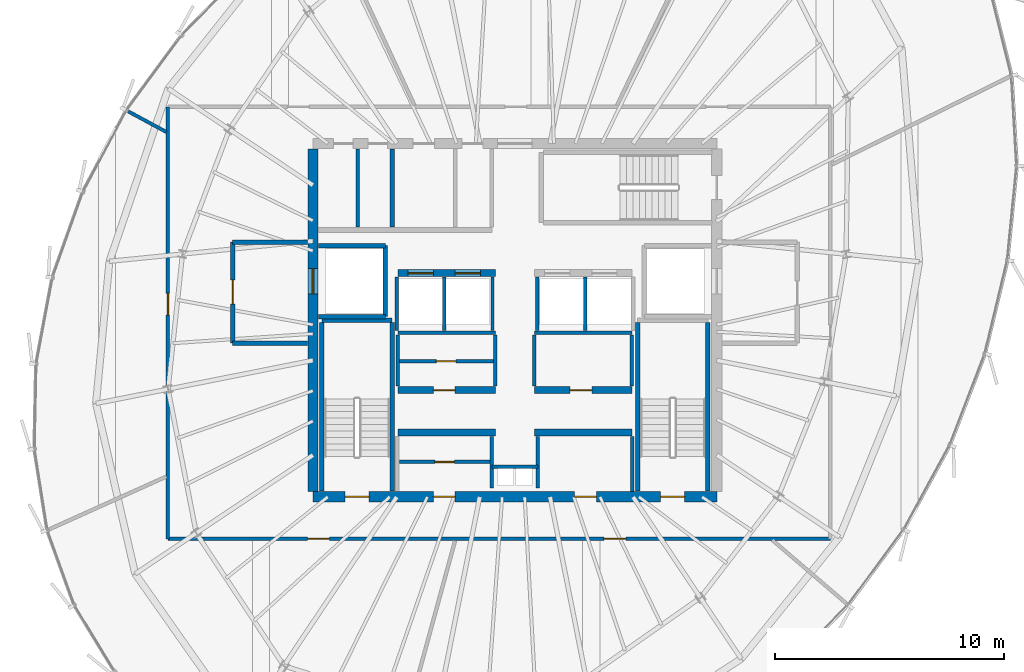
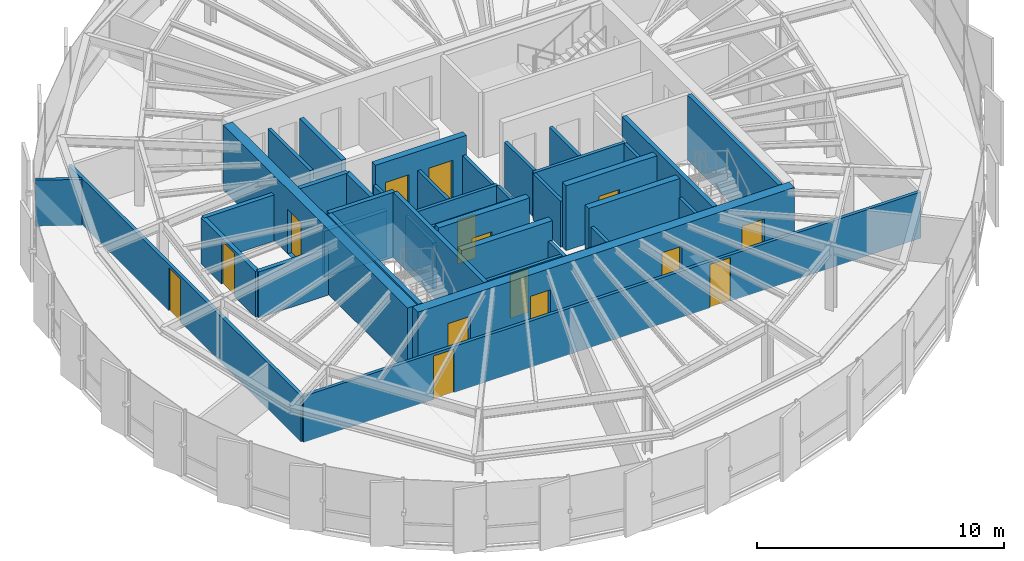
# One storey, part 27 of 33: 40 walls, 15 doors, 15 openings.
"""IFC4 building model written with IfcOpenShell, lengths in metres."""

from ifc_helpers import new_model, si_unit, direction, frame, frame_2d, origin, place, context, subcontext, project, spatial, rectangle, extrude, source, transform, mapped, material, layer, layer_set, type_object, element, fill, save


model = new_model("IFC4")

# Units and contexts
model_context = context("Model", 3, precision=1e-05, world=origin(), true_north=direction((0.0, 1.0)))
body_context = subcontext(model_context, "Body", "Model", "MODEL_VIEW")
ifc_project = project(units=[si_unit("LENGTHUNIT", "METRE"), si_unit("AREAUNIT", "SQUARE_METRE"), si_unit("VOLUMEUNIT", "CUBIC_METRE"), si_unit("PLANEANGLEUNIT", "RADIAN"), si_unit("MASSUNIT", "GRAM", prefix="KILO"), si_unit("THERMODYNAMICTEMPERATUREUNIT", "KELVIN")], contexts=[model_context])

# Site, building, storey
site_placement = place(None, origin())
site = spatial("IfcSite", under=ifc_project, at=site_placement, CompositionType="ELEMENT")
building_placement = place(site_placement, origin())
building = spatial("IfcBuilding", under=site, at=building_placement, Name="Kethvar Cultural Tower", CompositionType="ELEMENT")
storey_placement = place(building_placement, frame((0.0, 0.0, 235.300048828125)))
storey = spatial("IfcBuildingStorey", under=building, at=storey_placement, Name="L61", CompositionType="ELEMENT", Elevation=235.300048828125)

# Wall, openings, doors
ifc_material_1 = material(Name="Concrete C50/60", Category="concrete")
ifc_layer_1 = layer(ifc_material_1, 0.449951171875, Name="Concrete C50/60", Category="concrete")
ifc_layer_set_1 = layer_set([ifc_layer_1], Name="Concrete C50/60 (450 mm)")
wall_type_1 = type_object("IfcWallType", Name="WL-CORE-450", PredefinedType="SHEAR", material=ifc_layer_set_1)
wall_1_placement = place(storey_placement, frame((38.0, 20.10009765625, 0.0), z_axis=(0.0, 0.0, 1.0), x_axis=(1.0, 0.0, 0.0)))
wall_1 = element("IfcWall", 1, at=wall_1_placement, inside=storey, type_object=wall_type_1, Name="L61 Core Shear Wall S", PredefinedType="SHEAR", context=body_context, shape_type="SweptSolid", body=[
    extrude(rectangle(XDim=17.60009765625, YDim=0.449951171875, at=frame_2d((8.800048828125, 0.0))), origin(), (0.0, 0.0, 1.0), 3.2099609375),
])
opening_1_placement = place(wall_1_placement, frame((1.39990234375, 0.0, 0.0)))
opening_1 = element("IfcOpeningElement", 2, at=opening_1_placement, cuts=wall_1, Name="Opening D-L61-S1", PredefinedType="OPENING", context=body_context, shape_type="SweptSolid", body=[
    extrude(rectangle(XDim=1.050048828125, YDim=2.14990234375, at=frame_2d((0.52490234375, 1.074951171875))), frame((0.0, 0.23486328125, 0.0), z_axis=(0.0, -1.0, 0.0), x_axis=(1.0, 0.0, 0.0)), (0.0, 0.0, 1.0), 0.469970703125),
])
opening_2_placement = place(wall_1_placement, frame((15.14990234375, 0.0, 0.0)))
opening_2 = element("IfcOpeningElement", 3, at=opening_2_placement, cuts=wall_1, Name="Opening D-L61-ST2", PredefinedType="OPENING", context=body_context, shape_type="SweptSolid", body=[
    extrude(rectangle(XDim=1.050048828125, YDim=2.14990234375, at=frame_2d((0.52490234375, 1.074951171875))), frame((0.0, 0.23486328125, 0.0), z_axis=(0.0, -1.0, 0.0), x_axis=(1.0, 0.0, 0.0)), (0.0, 0.0, 1.0), 0.469970703125),
])
opening_3_placement = place(wall_1_placement, frame((5.25, 0.0, 0.0)))
opening_3 = element("IfcOpeningElement", 4, at=opening_3_placement, cuts=wall_1, Name="Opening D-L61-V1", PredefinedType="OPENING", context=body_context, shape_type="SweptSolid", body=[
    extrude(rectangle(XDim=0.949951171875, YDim=2.14990234375, at=frame_2d((0.47509765625, 1.074951171875))), frame((0.0, 0.23486328125, 0.0), z_axis=(0.0, -1.0, 0.0), x_axis=(1.0, 0.0, 0.0)), (0.0, 0.0, 1.0), 0.469970703125),
])
opening_4_placement = place(wall_1_placement, frame((11.39990234375, 0.0, 0.0)))
opening_4 = element("IfcOpeningElement", 5, at=opening_4_placement, cuts=wall_1, Name="Opening D-L61-V2", PredefinedType="OPENING", context=body_context, shape_type="SweptSolid", body=[
    extrude(rectangle(XDim=0.949951171875, YDim=2.14990234375, at=frame_2d((0.47509765625, 1.074951171875))), frame((0.0, 0.23486328125, 0.0), z_axis=(0.0, -1.0, 0.0), x_axis=(1.0, 0.0, 0.0)), (0.0, 0.0, 1.0), 0.469970703125),
])
ifc_material_2 = material(Name="Steel S355J2", Category="steel")
door_type_1 = type_object("IfcDoorType", Name="DR-FD60-1050", OperationType="NOTDEFINED", PredefinedType="DOOR", material=ifc_material_2)
shared_shape_1 = source(origin(), body_context, "Body", "SweptSolid", [
    extrude(rectangle(XDim=1.050048828125, YDim=2.14990234375, at=frame_2d((0.52490234375, 1.074951171875))), frame((0.0, 0.02490234375, 0.0), z_axis=(0.0, -1.0, 0.0), x_axis=(1.0, 0.0, 0.0)), (0.0, 0.0, 1.0), 0.050048828125),
])
door_1_placement = place(opening_1_placement, origin())
door_1 = element("IfcDoor", 6, at=door_1_placement, inside=storey, type_object=door_type_1, Name="L61 Exit Stair 1 Door", OperationType="SINGLE_SWING_LEFT", OverallHeight=2.14990234375, OverallWidth=1.050048828125, PredefinedType="DOOR", context=body_context, shape_type="MappedRepresentation", body=[
    mapped(shared_shape_1, transform((0.0, 0.0, 0.0), scale=1.0)),
])
fill(opening_1, door_1)
door_2_placement = place(opening_2_placement, origin())
door_2 = element("IfcDoor", 7, at=door_2_placement, inside=storey, type_object=door_type_1, Name="L61 Exit Stair 2 Door", OperationType="SINGLE_SWING_RIGHT", OverallHeight=2.14990234375, OverallWidth=1.050048828125, PredefinedType="DOOR", context=body_context, shape_type="MappedRepresentation", body=[
    mapped(shared_shape_1, transform((0.0, 0.0, 0.0), scale=1.0)),
])
fill(opening_2, door_2)
ifc_material_3 = material(Name="Architectural Oak Timber", Category="wood")
door_type_2 = type_object("IfcDoorType", Name="DR-FD30-950", OperationType="NOTDEFINED", PredefinedType="DOOR", material=ifc_material_3)
shared_shape_2 = source(origin(), body_context, "Body", "SweptSolid", [
    extrude(rectangle(XDim=0.949951171875, YDim=2.14990234375, at=frame_2d((0.47509765625, 1.074951171875))), frame((0.0, 0.02490234375, 0.0), z_axis=(0.0, -1.0, 0.0), x_axis=(1.0, 0.0, 0.0)), (0.0, 0.0, 1.0), 0.050048828125),
])
door_3_placement = place(opening_3_placement, origin())
door_3 = element("IfcDoor", 8, at=door_3_placement, inside=storey, type_object=door_type_2, Name="L61 Reclaimed West South Door", OperationType="SINGLE_SWING_LEFT", OverallHeight=2.14990234375, OverallWidth=0.949951171875, PredefinedType="DOOR", context=body_context, shape_type="MappedRepresentation", body=[
    mapped(shared_shape_2, transform((0.0, 0.0, 0.0), scale=1.0)),
])
fill(opening_3, door_3)
door_4_placement = place(opening_4_placement, origin())
door_4 = element("IfcDoor", 9, at=door_4_placement, inside=storey, type_object=door_type_2, Name="L61 Reclaimed East Server Door", OperationType="SINGLE_SWING_RIGHT", OverallHeight=2.14990234375, OverallWidth=0.949951171875, PredefinedType="DOOR", context=body_context, shape_type="MappedRepresentation", body=[
    mapped(shared_shape_2, transform((0.0, 0.0, 0.0), scale=1.0)),
])
fill(opening_4, door_4)

# Wall, opening, door
wall_2_placement = place(storey_placement, frame((38.0, 35.260009765625, 0.0), z_axis=(0.0, 0.0, 1.0), x_axis=(0.0, -1.0, 0.0)))
wall_2 = element("IfcWall", 10, at=wall_2_placement, inside=storey, type_object=wall_type_1, Name="L61 Core Shear Wall W", PredefinedType="SHEAR", context=body_context, shape_type="SweptSolid", body=[
    extrude(rectangle(XDim=14.919921875, YDim=0.449951171875, at=frame_2d((7.4599609375, 0.0))), origin(), (0.0, 0.0, 1.0), 3.2099609375),
])
opening_5_placement = place(wall_2_placement, frame((5.2099609375, 0.0, 0.0)))
opening_5 = element("IfcOpeningElement", 11, at=opening_5_placement, cuts=wall_2, Name="Opening LD-1", PredefinedType="OPENING", context=body_context, shape_type="SweptSolid", body=[
    extrude(rectangle(XDim=1.10009765625, YDim=2.199951171875, at=frame_2d((0.550048828125, 1.10009765625))), frame((0.0, 0.23486328125, 0.0), z_axis=(0.0, -1.0, 0.0), x_axis=(1.0, 0.0, 0.0)), (0.0, 0.0, 1.0), 0.469970703125),
])
door_type_3 = type_object("IfcDoorType", Name="DR-LIFT-SLIDE-1100", OperationType="NOTDEFINED", PredefinedType="DOOR", material=ifc_material_2)
shared_shape_3 = source(origin(), body_context, "Body", "SweptSolid", [
    extrude(rectangle(XDim=1.10009765625, YDim=2.199951171875, at=frame_2d((0.550048828125, 1.10009765625))), frame((0.0, 0.02490234375, 0.0), z_axis=(0.0, -1.0, 0.0), x_axis=(1.0, 0.0, 0.0)), (0.0, 0.0, 1.0), 0.050048828125),
])
door_5_placement = place(opening_5_placement, origin())
door_5 = element("IfcDoor", 12, at=door_5_placement, inside=storey, type_object=door_type_3, Name="L61 Firefighting Lift Landing Door FFL-01", OperationType="SLIDING_TO_LEFT", OverallHeight=2.199951171875, OverallWidth=1.10009765625, PredefinedType="DOOR", context=body_context, shape_type="MappedRepresentation", body=[
    mapped(shared_shape_3, transform((0.0, 0.0, 0.0), scale=1.0)),
])
fill(opening_5, door_5)

# Walls
ifc_material_4 = material(Name="Gypsum Fireboard Partition")
ifc_layer_2 = layer(ifc_material_4, 0.14990234375, Name="Gypsum Fireboard Partition")
ifc_layer_set_2 = layer_set([ifc_layer_2], Name="Gypsum Fireboard Partition (150 mm)")
wall_type_2 = type_object("IfcWallType", Name="WL-FIRE-150", PredefinedType="PARTITIONING", material=ifc_layer_set_2)
wall_3_placement = place(storey_placement, frame((45.800048828125, 21.419921875, 0.0), z_axis=(0.0, 0.0, 1.0), x_axis=(1.0, 0.0, 0.0)))
element("IfcWall", 13, at=wall_3_placement, inside=storey, type_object=wall_type_2, Name="L61 Core Riser Wall", PredefinedType="PARTITIONING", context=body_context, shape_type="SweptSolid", body=[
    extrude(rectangle(XDim=2.0, YDim=0.14990234375, at=frame_2d((1.0, 0.0))), origin(), (0.0, 0.0, 1.0), 2.280029296875),
])
for number, where, z_axis, x_axis, name in (
    (14, (45.800048828125, 20.47998046875, 0.0), (0.0, 0.0, 1.0), (0.0, 1.0, 0.0), "L61 Core Riser West Wall"),
    (15, (47.800048828125, 20.47998046875, 0.0), (0.0, 0.0, 1.0), (0.0, 1.0, 0.0), "L61 Core Riser East Wall"),
):
    element("IfcWall", number, at=place(storey_placement, frame(where, z_axis=z_axis, x_axis=x_axis)), inside=storey, type_object=wall_type_2, Name=name, PredefinedType="PARTITIONING", context=body_context, shape_type="SweptSolid", body=[
        extrude(rectangle(XDim=2.239990234375, YDim=0.14990234375, at=frame_2d((1.1201171875, 0.0))), origin(), (0.0, 0.0, 1.0), 2.280029296875),
    ])
wall_4_placement = place(storey_placement, frame((51.919921875, 20.3349609375, 0.0), z_axis=(0.0, 0.0, 1.0), x_axis=(0.0, 1.0, 0.0)))
element("IfcWall", 16, at=wall_4_placement, inside=storey, type_object=wall_type_2, Name="L61 Reclaimed East Outer Wall", PredefinedType="PARTITIONING", context=body_context, shape_type="SweptSolid", body=[
    extrude(rectangle(XDim=2.39501953125, YDim=0.14990234375, at=frame_2d((1.197509765625, 0.0))), origin(), (0.0, 0.0, 1.0), 2.280029296875),
])

# Wall, opening, door
wall_5_placement = place(storey_placement, frame((41.760009765625, 21.6201171875, 0.0), z_axis=(0.0, 0.0, 1.0), x_axis=(1.0, 0.0, 0.0)))
wall_5 = element("IfcWall", 17, at=wall_5_placement, inside=storey, type_object=wall_type_2, Name="L61 Vault Gallery Wall W", PredefinedType="PARTITIONING", context=body_context, shape_type="SweptSolid", body=[
    extrude(rectangle(XDim=3.9599609375, YDim=0.14990234375, at=frame_2d((1.97998046875, 0.0))), origin(), (0.0, 0.0, 1.0), 2.280029296875),
])
opening_6_placement = place(wall_5_placement, frame((1.550048828125, 0.0, 0.0)))
opening_6 = element("IfcOpeningElement", 18, at=opening_6_placement, cuts=wall_5, Name="Opening D-L61-V3", PredefinedType="OPENING", context=body_context, shape_type="SweptSolid", body=[
    extrude(rectangle(XDim=0.85009765625, YDim=2.14990234375, at=frame_2d((0.425048828125, 1.074951171875))), frame((0.0, 0.0849609375, 0.0), z_axis=(0.0, -1.0, 0.0), x_axis=(1.0, 0.0, 0.0)), (0.0, 0.0, 1.0), 0.169921875),
])
door_type_4 = type_object("IfcDoorType", Name="DR-FD30-850", OperationType="NOTDEFINED", PredefinedType="DOOR", material=ifc_material_2)
shared_shape_4 = source(origin(), body_context, "Body", "SweptSolid", [
    extrude(rectangle(XDim=0.85009765625, YDim=2.14990234375, at=frame_2d((0.425048828125, 1.074951171875))), frame((0.0, 0.02490234375, 0.0), z_axis=(0.0, -1.0, 0.0), x_axis=(1.0, 0.0, 0.0)), (0.0, 0.0, 1.0), 0.050048828125),
])
door_6_placement = place(opening_6_placement, origin())
door_6 = element("IfcDoor", 19, at=door_6_placement, inside=storey, type_object=door_type_4, Name="L61 Inner Vault Gallery Door", OperationType="SINGLE_SWING_LEFT", OverallHeight=2.14990234375, OverallWidth=0.85009765625, PredefinedType="DOOR", context=body_context, shape_type="MappedRepresentation", body=[
    mapped(shared_shape_4, transform((0.0, 0.0, 0.0), scale=1.0)),
])
fill(opening_6, door_6)

# Walls
for number, where, z_axis, x_axis, name in (
    (20, (41.699951171875, 27.25, 0.0), (0.0, 0.0, 1.0), (1.0, 0.0, 0.0), "L61 Reclaimed Mid Wall W"),
    (21, (47.64990234375, 27.25, 0.0), (0.0, 0.0, 1.0), (1.0, 0.0, 0.0), "L61 Reclaimed Mid Wall E"),
):
    element("IfcWall", number, at=place(storey_placement, frame(where, z_axis=z_axis, x_axis=x_axis)), inside=storey, type_object=wall_type_2, Name=name, PredefinedType="PARTITIONING", context=body_context, shape_type="SweptSolid", body=[
        extrude(rectangle(XDim=4.25, YDim=0.14990234375, at=frame_2d((2.125, 0.0))), origin(), (0.0, 0.0, 1.0), 2.280029296875),
    ])
for number, where, z_axis, x_axis, name in (
    (22, (41.699951171875, 24.919921875, 0.0), (0.0, 0.0, 1.0), (0.0, 1.0, 0.0), "L61 Reclaimed Mid Outer W"),
    (23, (45.949951171875, 24.919921875, 0.0), (0.0, 0.0, 1.0), (0.0, 1.0, 0.0), "L61 Reclaimed Mid Spine W"),
    (24, (47.64990234375, 24.919921875, 0.0), (0.0, 0.0, 1.0), (0.0, 1.0, 0.0), "L61 Reclaimed Mid Spine E"),
    (25, (51.89990234375, 24.919921875, 0.0), (0.0, 0.0, 1.0), (0.0, 1.0, 0.0), "L61 Reclaimed Mid Outer E"),
):
    element("IfcWall", number, at=place(storey_placement, frame(where, z_axis=z_axis, x_axis=x_axis)), inside=storey, type_object=wall_type_2, Name=name, PredefinedType="PARTITIONING", context=body_context, shape_type="SweptSolid", body=[
        extrude(rectangle(XDim=2.239990234375, YDim=0.14990234375, at=frame_2d((1.1201171875, 0.0))), origin(), (0.0, 0.0, 1.0), 2.280029296875),
    ])

# Wall, opening, door
wall_6_placement = place(storey_placement, frame((41.780029296875, 26.010009765625, 0.0), z_axis=(0.0, 0.0, 1.0), x_axis=(1.0, 0.0, 0.0)))
wall_6 = element("IfcWall", 26, at=wall_6_placement, inside=storey, type_object=wall_type_2, Name="L61 Mid Gallery Wall W", PredefinedType="PARTITIONING", context=body_context, shape_type="SweptSolid", body=[
    extrude(rectangle(XDim=4.090087890625, YDim=0.14990234375, at=frame_2d((2.044921875, 0.0))), origin(), (0.0, 0.0, 1.0), 2.280029296875),
])
opening_7_placement = place(wall_6_placement, frame((1.60009765625, 0.0, 0.0)))
opening_7 = element("IfcOpeningElement", 27, at=opening_7_placement, cuts=wall_6, Name="Opening D-L61-M3", PredefinedType="OPENING", context=body_context, shape_type="SweptSolid", body=[
    extrude(rectangle(XDim=0.85009765625, YDim=2.14990234375, at=frame_2d((0.425048828125, 1.074951171875))), frame((0.0, 0.0849609375, 0.0), z_axis=(0.0, -1.0, 0.0), x_axis=(1.0, 0.0, 0.0)), (0.0, 0.0, 1.0), 0.169921875),
])
door_7_placement = place(opening_7_placement, origin())
door_7 = element("IfcDoor", 28, at=door_7_placement, inside=storey, type_object=door_type_4, Name="L61 Fibre Inner Door", OperationType="SINGLE_SWING_LEFT", OverallHeight=2.14990234375, OverallWidth=0.85009765625, PredefinedType="DOOR", context=body_context, shape_type="MappedRepresentation", body=[
    mapped(shared_shape_4, transform((0.0, 0.0, 0.0), scale=1.0)),
])
fill(opening_7, door_7)

# Walls
for number, where, z_axis, x_axis, name in (
    (29, (41.64990234375, 27.340087890625, 0.0), (0.0, 0.0, 1.0), (0.0, 1.0, 0.0), "L61 High-Rise Lift Shaft Outer Wall W"),
    (30, (43.72509765625, 27.340087890625, 0.0), (0.0, 0.0, 1.0), (0.0, 1.0, 0.0), "L61 High-Rise Lift Shaft Divider W"),
    (31, (45.824951171875, 27.340087890625, 0.0), (0.0, 0.0, 1.0), (0.0, 1.0, 0.0), "L61 High-Rise Lift Shaft Concourse Wall W"),
    (32, (47.77490234375, 27.340087890625, 0.0), (0.0, 0.0, 1.0), (0.0, 1.0, 0.0), "L61 High-Rise Lift Shaft Concourse Wall E"),
    (33, (49.875, 27.340087890625, 0.0), (0.0, 0.0, 1.0), (0.0, 1.0, 0.0), "L61 High-Rise Lift Shaft Divider E"),
):
    element("IfcWall", number, at=place(storey_placement, frame(where, z_axis=z_axis, x_axis=x_axis)), inside=storey, type_object=wall_type_2, Name=name, PredefinedType="PARTITIONING", context=body_context, shape_type="SweptSolid", body=[
        extrude(rectangle(XDim=2.33984375, YDim=0.14990234375, at=frame_2d((1.169921875, 0.0))), origin(), (0.0, 0.0, 1.0), 2.280029296875),
    ])
wall_7_placement = place(storey_placement, frame((39.949951171875, 31.85009765625, 0.0), z_axis=(0.0, 0.0, 1.0), x_axis=(0.0, 1.0, 0.0)))
element("IfcWall", 34, at=wall_7_placement, inside=storey, type_object=wall_type_2, Name="L61 NW Riser Divider", PredefinedType="PARTITIONING", context=body_context, shape_type="SweptSolid", body=[
    extrude(rectangle(XDim=3.414794921875, YDim=0.14990234375, at=frame_2d((1.70751953125, 0.0))), origin(), (0.0, 0.0, 1.0), 2.280029296875),
])

# Wall, openings, doors
wall_8_placement = place(storey_placement, frame((31.679931640625, 18.26904296875, 0.0), z_axis=(0.0, 0.0, 1.0), x_axis=(1.0, 0.0, 0.0)))
wall_8 = element("IfcWall", 35, at=wall_8_placement, inside=storey, type_object=wall_type_2, Name="L61 Corridor Rated Wall S", PredefinedType="PARTITIONING", context=body_context, shape_type="SweptSolid", body=[
    extrude(rectangle(XDim=28.8701171875, YDim=0.14990234375, at=frame_2d((14.43505859375, 0.0))), origin(), (0.0, 0.0, 1.0), 2.280029296875),
])
opening_8_placement = place(wall_8_placement, frame((6.08251953125, 0.0, 0.0)))
opening_8 = element("IfcOpeningElement", 36, at=opening_8_placement, cuts=wall_8, Name="Opening D-L61-01", PredefinedType="OPENING", context=body_context, shape_type="SweptSolid", body=[
    extrude(rectangle(XDim=0.949951171875, YDim=2.14990234375, at=frame_2d((0.47509765625, 1.074951171875))), frame((0.0, 0.0849609375, 0.0), z_axis=(0.0, -1.0, 0.0), x_axis=(1.0, 0.0, 0.0)), (0.0, 0.0, 1.0), 0.169921875),
])
opening_9_placement = place(wall_8_placement, frame((19.0029296875, 0.0, 0.0)))
opening_9 = element("IfcOpeningElement", 37, at=opening_9_placement, cuts=wall_8, Name="Opening D-L61-02", PredefinedType="OPENING", context=body_context, shape_type="SweptSolid", body=[
    extrude(rectangle(XDim=0.949951171875, YDim=2.14990234375, at=frame_2d((0.47509765625, 1.074951171875))), frame((0.0, 0.0849609375, 0.0), z_axis=(0.0, -1.0, 0.0), x_axis=(1.0, 0.0, 0.0)), (0.0, 0.0, 1.0), 0.169921875),
])
door_8_placement = place(opening_8_placement, origin())
door_8 = element("IfcDoor", 38, at=door_8_placement, inside=storey, type_object=door_type_2, Name="L61 Visitor Reception 01 Door", OperationType="SINGLE_SWING_RIGHT", OverallHeight=2.14990234375, OverallWidth=0.949951171875, PredefinedType="DOOR", context=body_context, shape_type="MappedRepresentation", body=[
    mapped(shared_shape_2, transform((0.0, 0.0, 0.0), scale=1.0)),
])
fill(opening_8, door_8)
door_9_placement = place(opening_9_placement, origin())
door_9 = element("IfcDoor", 39, at=door_9_placement, inside=storey, type_object=door_type_2, Name="L61 Academic Study Lounge 02 Door", OperationType="SINGLE_SWING_LEFT", OverallHeight=2.14990234375, OverallWidth=0.949951171875, PredefinedType="DOOR", context=body_context, shape_type="MappedRepresentation", body=[
    mapped(shared_shape_2, transform((0.0, 0.0, 0.0), scale=1.0)),
])
fill(opening_9, door_9)

# Wall, opening, door
wall_9_placement = place(storey_placement, frame((31.679931640625, 37.10009765625, 0.0), z_axis=(0.0, 0.0, 1.0), x_axis=(0.0, -1.0, 0.0)))
wall_9 = element("IfcWall", 40, at=wall_9_placement, inside=storey, type_object=wall_type_2, Name="L61 Corridor Rated Wall W", PredefinedType="PARTITIONING", context=body_context, shape_type="SweptSolid", body=[
    extrude(rectangle(XDim=18.8310546875, YDim=0.14990234375, at=frame_2d((9.41552734375, 0.0))), origin(), (0.0, 0.0, 1.0), 2.280029296875),
])
opening_10_placement = place(wall_9_placement, frame((8.131591796875, 0.0, 0.0)))
opening_10 = element("IfcOpeningElement", 41, at=opening_10_placement, cuts=wall_9, Name="Opening D-L61-07", PredefinedType="OPENING", context=body_context, shape_type="SweptSolid", body=[
    extrude(rectangle(XDim=0.949951171875, YDim=2.14990234375, at=frame_2d((0.47509765625, 1.074951171875))), frame((0.0, 0.0849609375, 0.0), z_axis=(0.0, -1.0, 0.0), x_axis=(1.0, 0.0, 0.0)), (0.0, 0.0, 1.0), 0.169921875),
])
door_10_placement = place(opening_10_placement, origin())
door_10 = element("IfcDoor", 42, at=door_10_placement, inside=storey, type_object=door_type_2, Name="L61 Curatorial Staff Room 07 Door", OperationType="SINGLE_SWING_RIGHT", OverallHeight=2.14990234375, OverallWidth=0.949951171875, PredefinedType="DOOR", context=body_context, shape_type="MappedRepresentation", body=[
    mapped(shared_shape_2, transform((0.0, 0.0, 0.0), scale=1.0)),
])
fill(opening_10, door_10)

# Walls
ifc_material_5 = material(Name="Concrete C40/50", Category="concrete")
ifc_layer_3 = layer(ifc_material_5, 0.199951171875, Name="Concrete C40/50", Category="concrete")
ifc_layer_set_3 = layer_set([ifc_layer_3], Name="Concrete C40/50 (200 mm)")
wall_type_3 = type_object("IfcWallType", Name="WL-FIRE-200", PredefinedType="PARTITIONING", material=ifc_layer_set_3)
wall_10_placement = place(storey_placement, frame((41.14990234375, 27.949951171875, 0.0), z_axis=(0.0, 0.0, 1.0), x_axis=(0.0, 1.0, 0.0)))
element("IfcWall", 43, at=wall_10_placement, inside=storey, type_object=wall_type_3, Name="L61 FFL-01 Shaft Inner Wall", PredefinedType="PARTITIONING", context=body_context, shape_type="SweptSolid", body=[
    extrude(rectangle(XDim=3.10009765625, YDim=0.199951171875, at=frame_2d((1.550048828125, 0.0))), origin(), (0.0, 0.0, 1.0), 2.280029296875),
])
for number, where, z_axis, x_axis, name in (
    (44, (38.235107421875, 27.949951171875, 0.0), (0.0, 0.0, 1.0), (1.0, 0.0, 0.0), "L61 FFL-01 Shaft South Wall"),
    (45, (38.235107421875, 31.050048828125, 0.0), (0.0, 0.0, 1.0), (1.0, 0.0, 0.0), "L61 FFL-01 Shaft North Wall"),
):
    element("IfcWall", number, at=place(storey_placement, frame(where, z_axis=z_axis, x_axis=x_axis)), inside=storey, type_object=wall_type_3, Name=name, PredefinedType="PARTITIONING", context=body_context, shape_type="SweptSolid", body=[
        extrude(rectangle(XDim=2.914794921875, YDim=0.199951171875, at=frame_2d((1.45751953125, 0.0))), origin(), (0.0, 0.0, 1.0), 2.280029296875),
    ])

# Wall, opening, door
wall_11_placement = place(storey_placement, frame((34.5, 31.199951171875, 0.0), z_axis=(0.0, 0.0, 1.0), x_axis=(0.0, -1.0, 0.0)))
wall_11 = element("IfcWall", 46, at=wall_11_placement, inside=storey, type_object=wall_type_3, Name="L61 Firefighting Lobby 1 Wall", PredefinedType="PARTITIONING", context=body_context, shape_type="SweptSolid", body=[
    extrude(rectangle(XDim=4.39990234375, YDim=0.199951171875, at=frame_2d((2.199951171875, 0.0))), origin(), (0.0, 0.0, 1.0), 2.280029296875),
])
opening_11_placement = place(wall_11_placement, frame((1.64990234375, 0.0, 0.0)))
opening_11 = element("IfcOpeningElement", 47, at=opening_11_placement, cuts=wall_11, Name="Opening D-L61-F1", PredefinedType="OPENING", context=body_context, shape_type="SweptSolid", body=[
    extrude(rectangle(XDim=1.050048828125, YDim=2.14990234375, at=frame_2d((0.52490234375, 1.074951171875))), frame((0.0, 0.10986328125, 0.0), z_axis=(0.0, -1.0, 0.0), x_axis=(1.0, 0.0, 0.0)), (0.0, 0.0, 1.0), 0.219970703125),
])
door_11_placement = place(opening_11_placement, origin())
door_11 = element("IfcDoor", 48, at=door_11_placement, inside=storey, type_object=door_type_1, Name="L61 Firefighting Lobby 1 Fire Door", OperationType="SINGLE_SWING_LEFT", OverallHeight=2.14990234375, OverallWidth=1.050048828125, PredefinedType="DOOR", context=body_context, shape_type="MappedRepresentation", body=[
    mapped(shared_shape_1, transform((0.0, 0.0, 0.0), scale=1.0)),
])
fill(opening_11, door_11)

# Walls
for number, where, z_axis, x_axis, name in (
    (49, (34.5, 26.800048828125, 0.0), (0.0, 0.0, 1.0), (1.0, 0.0, 0.0), "L61 FF Lobby 1 South Wall"),
    (50, (34.5, 31.199951171875, 0.0), (0.0, 0.0, 1.0), (1.0, 0.0, 0.0), "L61 FF Lobby 1 North Wall"),
):
    element("IfcWall", number, at=place(storey_placement, frame(where, z_axis=z_axis, x_axis=x_axis)), inside=storey, type_object=wall_type_3, Name=name, PredefinedType="PARTITIONING", context=body_context, shape_type="SweptSolid", body=[
        extrude(rectangle(XDim=3.264892578125, YDim=0.199951171875, at=frame_2d((1.63232421875, 0.0))), origin(), (0.0, 0.0, 1.0), 2.280029296875),
    ])
wall_12_placement = place(storey_placement, frame((41.449951171875, 31.85009765625, 0.0), z_axis=(0.0, 0.0, 1.0), x_axis=(0.0, 1.0, 0.0)))
element("IfcWall", 51, at=wall_12_placement, inside=storey, type_object=wall_type_3, Name="L61 NW Core Pocket Wall", PredefinedType="PARTITIONING", context=body_context, shape_type="SweptSolid", body=[
    extrude(rectangle(XDim=3.414794921875, YDim=0.199951171875, at=frame_2d((1.70751953125, 0.0))), origin(), (0.0, 0.0, 1.0), 2.280029296875),
])
ifc_material_6 = material(Name="Gypsum Acoustic Partition")
ifc_layer_4 = layer(ifc_material_6, 0.14990234375, Name="Gypsum Acoustic Partition")
ifc_layer_set_4 = layer_set([ifc_layer_4], Name="Gypsum Acoustic Partition (150 mm)")
wall_type_4 = type_object("IfcWallType", Name="WL-PART-150", PredefinedType="PARTITIONING", material=ifc_layer_set_4)
wall_13_placement = place(storey_placement, frame((31.609619140625, 36.0, 0.0), z_axis=(0.0, 0.0, 1.0), x_axis=(-0.879820822607, 0.475305501868, 0.0)))
element("IfcWall", 52, at=wall_13_placement, inside=storey, type_object=wall_type_4, Name="L61 Radial Partition Wall 07", PredefinedType="PARTITIONING", context=body_context, shape_type="SweptSolid", body=[
    extrude(rectangle(XDim=1.883056640625, YDim=0.14990234375, at=frame_2d((0.94140625, 0.0))), origin(), (0.0, 0.0, 1.0), 2.280029296875),
])
ifc_layer_5 = layer(ifc_material_1, 0.300048828125, Name="Concrete C50/60", Category="concrete")
ifc_layer_set_5 = layer_set([ifc_layer_5], Name="Concrete C50/60 (300 mm)")
wall_type_5 = type_object("IfcWallType", Name="WL-SHAFT-300", PredefinedType="SHEAR", material=ifc_layer_set_5)
for number, where, z_axis, x_axis, name in (
    (53, (41.699951171875, 22.89990234375, 0.0), (0.0, 0.0, 1.0), (1.0, 0.0, 0.0), "L61 Core Lift Spine Wall MID1W"),
    (54, (47.64990234375, 22.89990234375, 0.0), (0.0, 0.0, 1.0), (1.0, 0.0, 0.0), "L61 Core Lift Spine Wall MID1E"),
):
    element("IfcWall", number, at=place(storey_placement, frame(where, z_axis=z_axis, x_axis=x_axis)), inside=storey, type_object=wall_type_5, Name=name, PredefinedType="SHEAR", context=body_context, shape_type="SweptSolid", body=[
        extrude(rectangle(XDim=4.25, YDim=0.300048828125, at=frame_2d((2.125, 0.0))), origin(), (0.0, 0.0, 1.0), 3.2099609375),
    ])

# Wall, opening, door
wall_14_placement = place(storey_placement, frame((41.699951171875, 24.75, 0.0), z_axis=(0.0, 0.0, 1.0), x_axis=(1.0, 0.0, 0.0)))
wall_14 = element("IfcWall", 55, at=wall_14_placement, inside=storey, type_object=wall_type_5, Name="L61 Core Lift Spine Wall MID2W", PredefinedType="SHEAR", context=body_context, shape_type="SweptSolid", body=[
    extrude(rectangle(XDim=4.25, YDim=0.300048828125, at=frame_2d((2.125, 0.0))), origin(), (0.0, 0.0, 1.0), 3.2099609375),
])
opening_12_placement = place(wall_14_placement, frame((1.550048828125, 0.0, 0.0)))
opening_12 = element("IfcOpeningElement", 56, at=opening_12_placement, cuts=wall_14, Name="Opening D-L61-M1", PredefinedType="OPENING", context=body_context, shape_type="SweptSolid", body=[
    extrude(rectangle(XDim=0.949951171875, YDim=2.14990234375, at=frame_2d((0.47509765625, 1.074951171875))), frame((0.0, 0.159912109375, 0.0), z_axis=(0.0, -1.0, 0.0), x_axis=(1.0, 0.0, 0.0)), (0.0, 0.0, 1.0), 0.320068359375),
])
door_12_placement = place(opening_12_placement, origin())
door_12 = element("IfcDoor", 57, at=door_12_placement, inside=storey, type_object=door_type_2, Name="L61 Fibre Patch Door", OperationType="SINGLE_SWING_LEFT", OverallHeight=2.14990234375, OverallWidth=0.949951171875, PredefinedType="DOOR", context=body_context, shape_type="MappedRepresentation", body=[
    mapped(shared_shape_2, transform((0.0, 0.0, 0.0), scale=1.0)),
])
fill(opening_12, door_12)

wall_15_placement = place(storey_placement, frame((47.64990234375, 24.75, 0.0), z_axis=(0.0, 0.0, 1.0), x_axis=(1.0, 0.0, 0.0)))
wall_15 = element("IfcWall", 58, at=wall_15_placement, inside=storey, type_object=wall_type_5, Name="L61 Core Lift Spine Wall MID2E", PredefinedType="SHEAR", context=body_context, shape_type="SweptSolid", body=[
    extrude(rectangle(XDim=4.25, YDim=0.300048828125, at=frame_2d((2.125, 0.0))), origin(), (0.0, 0.0, 1.0), 3.2099609375),
])
opening_13_placement = place(wall_15_placement, frame((1.550048828125, 0.0, 0.0)))
opening_13 = element("IfcOpeningElement", 59, at=opening_13_placement, cuts=wall_15, Name="Opening D-L61-M2", PredefinedType="OPENING", context=body_context, shape_type="SweptSolid", body=[
    extrude(rectangle(XDim=0.949951171875, YDim=2.14990234375, at=frame_2d((0.47509765625, 1.074951171875))), frame((0.0, 0.159912109375, 0.0), z_axis=(0.0, -1.0, 0.0), x_axis=(1.0, 0.0, 0.0)), (0.0, 0.0, 1.0), 0.320068359375),
])
door_13_placement = place(opening_13_placement, origin())
door_13 = element("IfcDoor", 60, at=door_13_placement, inside=storey, type_object=door_type_2, Name="L61 Sky Archive Annex Door", OperationType="SINGLE_SWING_RIGHT", OverallHeight=2.14990234375, OverallWidth=0.949951171875, PredefinedType="DOOR", context=body_context, shape_type="MappedRepresentation", body=[
    mapped(shared_shape_2, transform((0.0, 0.0, 0.0), scale=1.0)),
])
fill(opening_13, door_13)

# Wall, openings, doors
wall_16_placement = place(storey_placement, frame((41.699951171875, 29.85009765625, 0.0), z_axis=(0.0, 0.0, 1.0), x_axis=(1.0, 0.0, 0.0)))
wall_16 = element("IfcWall", 61, at=wall_16_placement, inside=storey, type_object=wall_type_5, Name="L61 Core Lift Spine Wall MID3W", PredefinedType="SHEAR", context=body_context, shape_type="SweptSolid", body=[
    extrude(rectangle(XDim=4.25, YDim=0.300048828125, at=frame_2d((2.125, 0.0))), origin(), (0.0, 0.0, 1.0), 3.2099609375),
])
opening_14_placement = place(wall_16_placement, frame((0.449951171875, 0.0, 0.0)))
opening_14 = element("IfcOpeningElement", 62, at=opening_14_placement, cuts=wall_16, Name="Opening LD-H1", PredefinedType="OPENING", context=body_context, shape_type="SweptSolid", body=[
    extrude(rectangle(XDim=1.10009765625, YDim=2.199951171875, at=frame_2d((0.550048828125, 1.10009765625))), frame((0.0, 0.159912109375, 0.0), z_axis=(0.0, -1.0, 0.0), x_axis=(1.0, 0.0, 0.0)), (0.0, 0.0, 1.0), 0.320068359375),
])
opening_15_placement = place(wall_16_placement, frame((2.5, 0.0, 0.0)))
opening_15 = element("IfcOpeningElement", 63, at=opening_15_placement, cuts=wall_16, Name="Opening LD-H2", PredefinedType="OPENING", context=body_context, shape_type="SweptSolid", body=[
    extrude(rectangle(XDim=1.10009765625, YDim=2.199951171875, at=frame_2d((0.550048828125, 1.10009765625))), frame((0.0, 0.159912109375, 0.0), z_axis=(0.0, -1.0, 0.0), x_axis=(1.0, 0.0, 0.0)), (0.0, 0.0, 1.0), 0.320068359375),
])
door_14_placement = place(opening_14_placement, origin())
door_14 = element("IfcDoor", 64, at=door_14_placement, inside=storey, type_object=door_type_3, Name="L61 High-Rise Lift Landing Door H1", OperationType="SLIDING_TO_LEFT", OverallHeight=2.199951171875, OverallWidth=1.10009765625, PredefinedType="DOOR", context=body_context, shape_type="MappedRepresentation", body=[
    mapped(shared_shape_3, transform((0.0, 0.0, 0.0), scale=1.0)),
])
fill(opening_14, door_14)
door_15_placement = place(opening_15_placement, origin())
door_15 = element("IfcDoor", 65, at=door_15_placement, inside=storey, type_object=door_type_3, Name="L61 High-Rise Lift Landing Door H2", OperationType="SLIDING_TO_LEFT", OverallHeight=2.199951171875, OverallWidth=1.10009765625, PredefinedType="DOOR", context=body_context, shape_type="MappedRepresentation", body=[
    mapped(shared_shape_3, transform((0.0, 0.0, 0.0), scale=1.0)),
])
fill(opening_15, door_15)

# Walls
ifc_layer_6 = layer(ifc_material_1, 0.199951171875, Name="Concrete C50/60", Category="concrete")
ifc_layer_set_6 = layer_set([ifc_layer_6], Name="Concrete C50/60 (200 mm)")
wall_type_6 = type_object("IfcWallType", Name="WL-STSHAFT-200", PredefinedType="SHEAR", material=ifc_layer_set_6)
wall_17_placement = place(storey_placement, frame((38.389892578125, 27.800048828125, 0.0), z_axis=(0.0, 0.0, 1.0), x_axis=(1.0, 0.0, 0.0)))
element("IfcWall", 66, at=wall_17_placement, inside=storey, type_object=wall_type_6, Name="L61 ST-01 Stair Shaft Wall FAR", PredefinedType="SHEAR", context=body_context, shape_type="SweptSolid", body=[
    extrude(rectangle(XDim=3.06005859375, YDim=0.199951171875, at=frame_2d((1.530029296875, 0.0))), origin(), (0.0, 0.0, 1.0), 3.2099609375),
])
for number, where, z_axis, x_axis, name in (
    (67, (41.449951171875, 27.699951171875, 0.0), (0.0, 0.0, 1.0), (0.0, -1.0, 0.0), "L61 ST-01 Stair Shaft Wall LEFT"),
    (68, (38.389892578125, 20.35009765625, 0.0), (0.0, 0.0, 1.0), (0.0, 1.0, 0.0), "L61 ST-01 Stair Shaft Wall RIGHT"),
    (69, (55.2099609375, 27.699951171875, 0.0), (0.0, 0.0, 1.0), (0.0, -1.0, 0.0), "L61 ST-02 Stair Shaft Wall LEFT"),
    (70, (52.14990234375, 20.35009765625, 0.0), (0.0, 0.0, 1.0), (0.0, 1.0, 0.0), "L61 ST-02 Stair Shaft Wall RIGHT"),
):
    element("IfcWall", number, at=place(storey_placement, frame(where, z_axis=z_axis, x_axis=x_axis)), inside=storey, type_object=wall_type_6, Name=name, PredefinedType="SHEAR", context=body_context, shape_type="SweptSolid", body=[
        extrude(rectangle(XDim=7.349853515625, YDim=0.199951171875, at=frame_2d((3.6748046875, 0.0))), origin(), (0.0, 0.0, 1.0), 3.2099609375),
    ])

save(model, "model.ifc")
